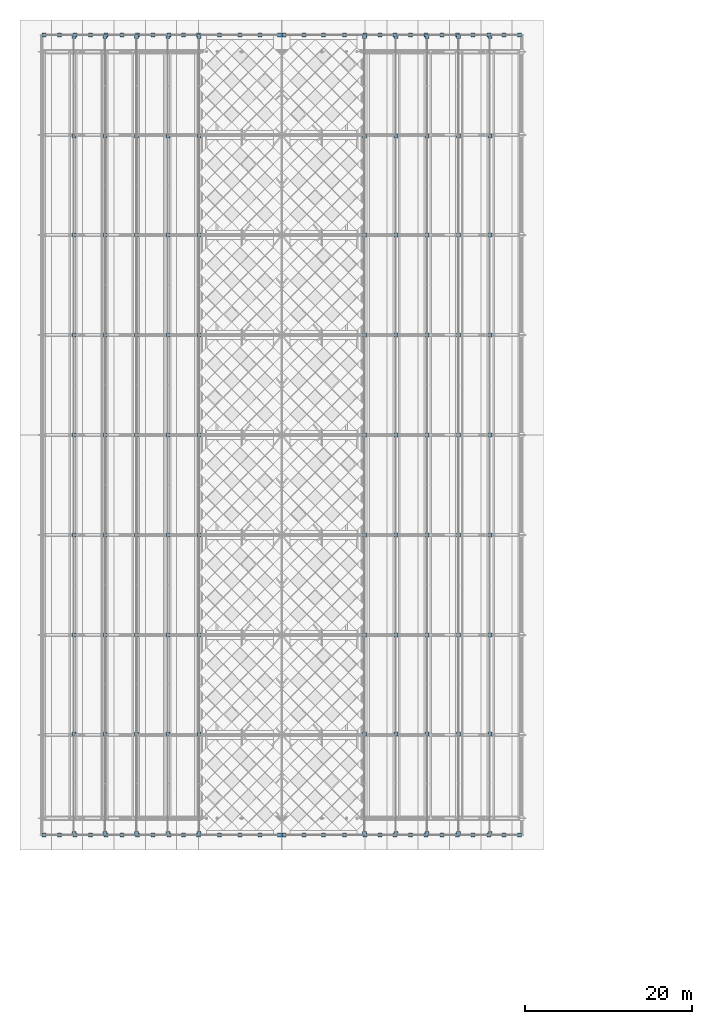
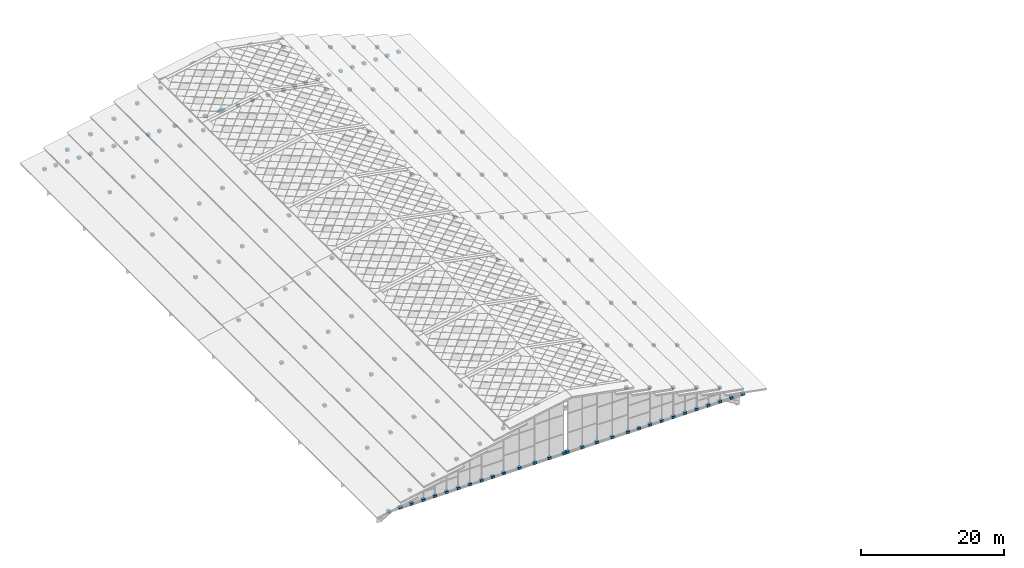
# One storey, part 110 of 117: 150 discrete accessories.
"""IFC4 building model written with IfcOpenShell, lengths in metres."""

import ifcopenshell
import ifcopenshell.guid

model = None  # the IFC model being written
_history = None  # IfcOwnerHistory: only IFC2X3 demands one
_inside = {}  # id of a spatial element -> (the spatial element, [elements in it])
_under = {}  # id of a project, library or spatial element -> (it, [spatial elements below it])
_declared = {}  # id of a project -> (the project, [libraries it declares])
_typed = {}  # id of a type object -> (the type object, [elements of that type])
_made_of = {}  # id of a material, layer set ... -> (it, [elements and type objects made of it])


def new_model(schema):
    """Start an empty IFC model of exactly this schema.

    Asked for "IFC4X3", IfcOpenShell would pick the latest addendum, in which some entities
    have other attributes; the version numbers below select the first issue.
    IFC2X3 requires an IfcOwnerHistory on every rooted entity: one is made here for all.
    """
    global model, _history
    if schema == "IFC4X3":
        model = ifcopenshell.file(schema_version=(4, 3, 0, 0))
    else:
        model = ifcopenshell.file(schema=schema)
    _inside.clear()
    _under.clear()
    _declared.clear()
    _typed.clear()
    _made_of.clear()
    _history = None
    if model.schema == "IFC2X3":
        org = make("IfcOrganization", Name="unknown")
        user = make(
            "IfcPersonAndOrganization",
            ThePerson=make("IfcPerson", FamilyName="unknown"),
            TheOrganization=org,
        )
        app = make(
            "IfcApplication",
            ApplicationDeveloper=org,
            Version="unknown",
            ApplicationFullName="unknown",
            ApplicationIdentifier="unknown",
        )
        _history = make(
            "IfcOwnerHistory",
            OwningUser=user,
            OwningApplication=app,
            ChangeAction="ADDED",
            CreationDate=0,
        )
    return model


def make(cls, **values):
    """One entity of the class cls with the attributes given. An attribute that is None is left unset."""
    return model.create_entity(
        cls, **{name: value for name, value in values.items() if value is not None}
    )


def rooted(cls, **values):
    """An entity with a GlobalId (a new one), such as an element, a storey or a relation."""
    return make(cls, GlobalId=ifcopenshell.guid.new(), OwnerHistory=_history, **values)


def si_unit(unit_type, name, prefix=None):
    """IfcSIUnit, for example si_unit("LENGTHUNIT", "METRE", prefix="MILLI")."""
    return make("IfcSIUnit", UnitType=unit_type, Prefix=prefix, Name=name)


def assignment(units):
    """IfcUnitAssignment: the units of a project."""
    return None if units is None else make("IfcUnitAssignment", Units=units)


def point(xyz):
    """IfcCartesianPoint."""
    return None if xyz is None else make("IfcCartesianPoint", Coordinates=xyz)


def direction(xyz):
    """IfcDirection."""
    return None if xyz is None else make("IfcDirection", DirectionRatios=xyz)


def frame(location, z_axis=None, x_axis=None):
    """IfcAxis2Placement3D, a coordinate frame: its origin and axes. An axis left out is left unset."""
    return make(
        "IfcAxis2Placement3D",
        Location=point(location),
        Axis=direction(z_axis),
        RefDirection=direction(x_axis),
    )


def frame_2d(location, x_axis=None):
    """IfcAxis2Placement2D, a coordinate frame in the plane: its origin and x axis."""
    return make(
        "IfcAxis2Placement2D", Location=point(location), RefDirection=direction(x_axis)
    )


def origin():
    """The frame at (0, 0, 0) with its axes left unset."""
    return frame((0.0, 0.0, 0.0))


def origin_2d():
    """The frame at (0, 0) in the plane with its x axis left unset."""
    return frame_2d((0.0, 0.0))


def place(relative_to, where):
    """IfcLocalPlacement: puts the frame where relative to a parent placement (None: the world)."""
    return make(
        "IfcLocalPlacement", PlacementRelTo=relative_to, RelativePlacement=where
    )


def context(
    kind, dimensions, precision=None, world=None, true_north=None, identifier=None
):
    """IfcGeometricRepresentationContext, for example the 3D "Model" context."""
    return make(
        "IfcGeometricRepresentationContext",
        ContextIdentifier=identifier,
        ContextType=kind,
        CoordinateSpaceDimension=dimensions,
        Precision=precision,
        WorldCoordinateSystem=world,
        TrueNorth=true_north,
    )


def subcontext(parent, identifier, kind, view, scale=None):
    """IfcGeometricRepresentationSubContext, for example "Body" below "Model"."""
    return make(
        "IfcGeometricRepresentationSubContext",
        ContextIdentifier=identifier,
        ContextType=kind,
        ParentContext=parent,
        TargetScale=scale,
        TargetView=view,
    )


def project(units=None, contexts=None):
    """IfcProject with its units and contexts."""
    return rooted(
        "IfcProject",
        Name="project",
        RepresentationContexts=contexts,
        UnitsInContext=assignment(units),
    )


def spatial(cls, under=None, at=None, **own):
    """A site, building, storey or space (cls), placed at a placement, below another one or the project."""
    s = rooted(cls, ObjectPlacement=at, **own)
    if under is not None:
        _under.setdefault(under.id(), (under, []))[1].append(s)
    return s


def profile(cls, at=None, kind="AREA", **sizes):
    """A parametric profile (cls). Its sizes go by their IFC names, for example OverallWidth=200.0."""
    return make(cls, ProfileType=kind, Position=at, **sizes)


def rectangle(**sizes):
    """IfcRectangleProfileDef."""
    return profile("IfcRectangleProfileDef", **sizes)


def extrude(swept, where, along, depth):
    """IfcExtrudedAreaSolid: the profile swept, set in the frame where, extruded along a direction by depth."""
    return make(
        "IfcExtrudedAreaSolid",
        SweptArea=swept,
        Position=where,
        ExtrudedDirection=direction(along),
        Depth=depth,
    )


def shape(context_of_items, identifier, shape_type, items):
    """IfcShapeRepresentation: the items that make up one representation, for example the "Body"."""
    return make(
        "IfcShapeRepresentation",
        ContextOfItems=context_of_items,
        RepresentationIdentifier=identifier,
        RepresentationType=shape_type,
        Items=items,
    )


def material(Name=None, Category=None):
    """IfcMaterial."""
    return make("IfcMaterial", Name=Name, Category=Category)


def layer(
    of_material, thickness, ventilated=None, Name=None, Category=None, Priority=None
):
    """IfcMaterialLayer: one layer of a wall or slab, of a material (None: an air gap)."""
    return make(
        "IfcMaterialLayer",
        Material=of_material,
        LayerThickness=thickness,
        IsVentilated=ventilated,
        Name=Name,
        Category=Category,
        Priority=Priority,
    )


def layer_set(layers, Name=None):
    """IfcMaterialLayerSet."""
    return make("IfcMaterialLayerSet", MaterialLayers=layers, LayerSetName=Name)


def made_of(thing, what):
    """Note that an element or type object is made of a material, layer set ...; save() writes the relation."""
    if what is not None:
        _made_of.setdefault(what.id(), (what, []))[1].append(thing)
    return thing


def type_object(cls, material=None, **own):
    """A type object (cls), such as IfcWallType, which elements share."""
    return made_of(rooted(cls, **own), material)


def element(
    cls,
    number,
    at=None,
    inside=None,
    cuts=None,
    type_object=None,
    material=None,
    context=None,
    identifier="Body",
    shape_type=None,
    held_by="IfcProductDefinitionShape",
    body=None,
    shapes=None,
    **own,
):
    """One element of the class cls, such as IfcWall. Its Tag is "e" and its number.

    at: its placement. inside: the storey or other place that contains it. cuts: it is an
    opening in that element (IfcRelVoidsElement). A single representation is given by context,
    identifier, shape_type and body (its items); several are given by shapes. held_by: the class
    of the entity that holds the representations. save() writes the other relations.
    """
    e = rooted(cls, Tag="e%d" % number, ObjectPlacement=at, **own)
    if body is not None:
        shapes = [shape(context, identifier, shape_type, body)]
    if shapes is not None:
        e.Representation = make(held_by, Representations=shapes)
    if inside is not None:
        _inside.setdefault(inside.id(), (inside, []))[1].append(e)
    if cuts is not None:
        rooted(
            "IfcRelVoidsElement", RelatingBuildingElement=cuts, RelatedOpeningElement=e
        )
    if type_object is not None:
        _typed.setdefault(type_object.id(), (type_object, []))[1].append(e)
    return made_of(e, material)


def aggregate(whole, parts):
    """IfcRelAggregates: a whole, such as a stair, and the parts it consists of."""
    return rooted("IfcRelAggregates", RelatingObject=whole, RelatedObjects=parts)


def save(model, path):
    """Write the relations noted so far, then the file.

    IfcRelAggregates (storeys below a building ...), IfcRelContainedInSpatialStructure (elements
    in a storey), IfcRelDefinesByType, IfcRelAssociatesMaterial and IfcRelDeclares: one each for
    every whole, place, type object, material and project.
    """
    for whole, parts in _under.values():
        aggregate(whole, parts)
    for where, things in _inside.values():
        rooted(
            "IfcRelContainedInSpatialStructure",
            RelatedElements=things,
            RelatingStructure=where,
        )
    for kind, things in _typed.values():
        rooted("IfcRelDefinesByType", RelatedObjects=things, RelatingType=kind)
    for what, things in _made_of.values():
        rooted("IfcRelAssociatesMaterial", RelatedObjects=things, RelatingMaterial=what)
    for by, libraries in _declared.values():
        rooted("IfcRelDeclares", RelatingContext=by, RelatedDefinitions=libraries)
    model.write(path)


model = new_model("IFC4")

# Units and contexts
model_context = context("Model", 3, precision=1e-05, world=origin(), true_north=direction((0.0, 1.0)))
body_context = subcontext(model_context, "Body", "Model", "MODEL_VIEW")
ifc_project = project(units=[si_unit("LENGTHUNIT", "METRE"), si_unit("AREAUNIT", "SQUARE_METRE"), si_unit("VOLUMEUNIT", "CUBIC_METRE"), si_unit("PLANEANGLEUNIT", "RADIAN"), si_unit("MASSUNIT", "GRAM", prefix="KILO")], contexts=[model_context])

# Site, building, storey
site_placement = place(None, origin())
site = spatial("IfcSite", under=ifc_project, at=site_placement, CompositionType="ELEMENT")
building_placement = place(site_placement, origin())
building = spatial("IfcBuilding", under=site, at=building_placement, Name="Merenkruunu Market Hall", CompositionType="ELEMENT")
storey_placement = place(building_placement, frame((0.0, 0.0, 22.800048828125)))
storey = spatial("IfcBuildingStorey", under=building, at=storey_placement, Name="RF", CompositionType="ELEMENT", Elevation=22.800048828125)

# Discrete accessories
ifc_material = material(Name="Brushed stainless steel", Category="steel")
ifc_layer = layer(ifc_material, 0.159912109375)
ifc_layer_set = layer_set([ifc_layer], Name="Brushed stainless steel")
discrete_accessory_type = type_object("IfcDiscreteAccessoryType", Name="Stainless Facade Support Bracket BRK01", PredefinedType="BRACKET", material=ifc_layer_set)
for number, where, z_axis, x_axis, name in (
    (1, (3.9599609375, 15.60009765625, -8.889892578125), (0.0, 0.0, 1.0), (1.0, 0.0, 0.0), "ACC-CWBRK-037-1"),
    (2, (2.1201171875, 15.60009765625, -8.889892578125), (0.0, 0.0, 1.0), (1.0, 0.0, 0.0), "ACC-CWBRK-037-2"),
    (3, (0.280029296875, 15.60009765625, -8.889892578125), (0.0, 0.0, 1.0), (1.0, 0.0, 0.0), "ACC-CWBRK-037-3"),
    (4, (7.719970703125, 15.60009765625, -8.889892578125), (0.0, 0.0, 1.0), (1.0, 0.0, 0.0), "ACC-CWBRK-038-1"),
    (5, (5.840087890625, 15.60009765625, -8.889892578125), (0.0, 0.0, 1.0), (1.0, 0.0, 0.0), "ACC-CWBRK-038-2"),
    (6, (11.47998046875, 15.60009765625, -8.889892578125), (0.0, 0.0, 1.0), (1.0, 0.0, 0.0), "ACC-CWBRK-039-1"),
    (7, (9.60009765625, 15.60009765625, -8.889892578125), (0.0, 0.0, 1.0), (1.0, 0.0, 0.0), "ACC-CWBRK-039-2"),
    (8, (15.239990234375, 15.60009765625, -8.889892578125), (0.0, 0.0, 1.0), (1.0, 0.0, 0.0), "ACC-CWBRK-040-1"),
    (9, (13.360107421875, 15.60009765625, -8.889892578125), (0.0, 0.0, 1.0), (1.0, 0.0, 0.0), "ACC-CWBRK-040-2"),
    (10, (18.800048828125, 15.60009765625, -8.889892578125), (0.0, 0.0, 1.0), (1.0, 0.0, 0.0), "ACC-CWBRK-041-1"),
    (11, (17.02001953125, 15.60009765625, -8.889892578125), (0.0, 0.0, 1.0), (1.0, 0.0, 0.0), "ACC-CWBRK-041-2"),
    (12, (23.800048828125, 15.60009765625, -8.889892578125), (0.0, 0.0, 1.0), (1.0, 0.0, 0.0), "ACC-CWBRK-042-1"),
    (13, (21.300048828125, 15.60009765625, -8.889892578125), (0.0, 0.0, 1.0), (1.0, 0.0, 0.0), "ACC-CWBRK-042-2"),
    (14, (28.52001953125, 15.60009765625, -8.889892578125), (0.0, 0.0, 1.0), (1.0, 0.0, 0.0), "ACC-CWBRK-043-1"),
    (15, (26.159912109375, 15.60009765625, -8.889892578125), (0.0, 0.0, 1.0), (1.0, 0.0, 0.0), "ACC-CWBRK-043-2"),
    (16, (33.800048828125, 15.60009765625, -8.889892578125), (0.0, 0.0, 1.0), (1.0, 0.0, 0.0), "ACC-CWBRK-044-1"),
    (17, (31.43994140625, 15.60009765625, -8.889892578125), (0.0, 0.0, 1.0), (1.0, 0.0, 0.0), "ACC-CWBRK-044-2"),
    (18, (29.080078125, 15.60009765625, -8.889892578125), (0.0, 0.0, 1.0), (1.0, 0.0, 0.0), "ACC-CWBRK-044-3"),
    (19, (38.800048828125, 15.60009765625, -8.889892578125), (0.0, 0.0, 1.0), (1.0, 0.0, 0.0), "ACC-CWBRK-045-1"),
    (20, (36.300048828125, 15.60009765625, -8.889892578125), (0.0, 0.0, 1.0), (1.0, 0.0, 0.0), "ACC-CWBRK-045-2"),
    (21, (42.360107421875, 15.60009765625, -8.889892578125), (0.0, 0.0, 1.0), (1.0, 0.0, 0.0), "ACC-CWBRK-046-1"),
    (22, (40.580078125, 15.60009765625, -8.889892578125), (0.0, 0.0, 1.0), (1.0, 0.0, 0.0), "ACC-CWBRK-046-2"),
    (23, (46.1201171875, 15.60009765625, -8.889892578125), (0.0, 0.0, 1.0), (1.0, 0.0, 0.0), "ACC-CWBRK-047-1"),
    (24, (44.239990234375, 15.60009765625, -8.889892578125), (0.0, 0.0, 1.0), (1.0, 0.0, 0.0), "ACC-CWBRK-047-2"),
    (25, (49.8798828125, 15.60009765625, -8.889892578125), (0.0, 0.0, 1.0), (1.0, 0.0, 0.0), "ACC-CWBRK-048-1"),
    (26, (48.0, 15.60009765625, -8.889892578125), (0.0, 0.0, 1.0), (1.0, 0.0, 0.0), "ACC-CWBRK-048-2"),
    (27, (53.639892578125, 15.60009765625, -8.889892578125), (0.0, 0.0, 1.0), (1.0, 0.0, 0.0), "ACC-CWBRK-049-1"),
    (28, (51.760009765625, 15.60009765625, -8.889892578125), (0.0, 0.0, 1.0), (1.0, 0.0, 0.0), "ACC-CWBRK-049-2"),
    (29, (57.320068359375, 15.60009765625, -8.889892578125), (0.0, 0.0, 1.0), (1.0, 0.0, 0.0), "ACC-CWBRK-050-1"),
    (30, (55.47998046875, 15.60009765625, -8.889892578125), (0.0, 0.0, 1.0), (1.0, 0.0, 0.0), "ACC-CWBRK-050-2"),
    (31, (0.280029296875, 111.60009765625, -8.889892578125), (0.0, 0.0, 1.0), (1.0, 0.0, 0.0), "ACC-CWBRK-067-1"),
    (32, (2.1201171875, 111.60009765625, -8.889892578125), (0.0, 0.0, 1.0), (1.0, 0.0, 0.0), "ACC-CWBRK-067-2"),
    (33, (3.9599609375, 111.60009765625, -8.889892578125), (0.0, 0.0, 1.0), (1.0, 0.0, 0.0), "ACC-CWBRK-067-3"),
    (34, (5.840087890625, 111.60009765625, -8.889892578125), (0.0, 0.0, 1.0), (1.0, 0.0, 0.0), "ACC-CWBRK-068-2"),
    (35, (7.719970703125, 111.60009765625, -8.889892578125), (0.0, 0.0, 1.0), (1.0, 0.0, 0.0), "ACC-CWBRK-068-3"),
    (36, (9.60009765625, 111.60009765625, -8.889892578125), (0.0, 0.0, 1.0), (1.0, 0.0, 0.0), "ACC-CWBRK-069-2"),
    (37, (11.47998046875, 111.60009765625, -8.889892578125), (0.0, 0.0, 1.0), (1.0, 0.0, 0.0), "ACC-CWBRK-069-3"),
    (38, (13.360107421875, 111.60009765625, -8.889892578125), (0.0, 0.0, 1.0), (1.0, 0.0, 0.0), "ACC-CWBRK-070-2"),
    (39, (15.239990234375, 111.60009765625, -8.889892578125), (0.0, 0.0, 1.0), (1.0, 0.0, 0.0), "ACC-CWBRK-070-3"),
    (40, (17.02001953125, 111.60009765625, -8.889892578125), (0.0, 0.0, 1.0), (1.0, 0.0, 0.0), "ACC-CWBRK-071-2"),
    (41, (18.800048828125, 111.60009765625, -8.889892578125), (0.0, 0.0, 1.0), (1.0, 0.0, 0.0), "ACC-CWBRK-071-3"),
    (42, (21.300048828125, 111.60009765625, -8.889892578125), (0.0, 0.0, 1.0), (1.0, 0.0, 0.0), "ACC-CWBRK-072-2"),
    (43, (23.800048828125, 111.60009765625, -8.889892578125), (0.0, 0.0, 1.0), (1.0, 0.0, 0.0), "ACC-CWBRK-072-3"),
    (44, (26.159912109375, 111.60009765625, -8.889892578125), (0.0, 0.0, 1.0), (1.0, 0.0, 0.0), "ACC-CWBRK-073-2"),
    (45, (28.52001953125, 111.60009765625, -8.889892578125), (0.0, 0.0, 1.0), (1.0, 0.0, 0.0), "ACC-CWBRK-073-3"),
    (46, (29.080078125, 111.60009765625, -8.889892578125), (0.0, 0.0, 1.0), (1.0, 0.0, 0.0), "ACC-CWBRK-074-1"),
    (47, (31.43994140625, 111.60009765625, -8.889892578125), (0.0, 0.0, 1.0), (1.0, 0.0, 0.0), "ACC-CWBRK-074-2"),
    (48, (33.800048828125, 111.60009765625, -8.889892578125), (0.0, 0.0, 1.0), (1.0, 0.0, 0.0), "ACC-CWBRK-074-3"),
    (49, (36.300048828125, 111.60009765625, -8.889892578125), (0.0, 0.0, 1.0), (1.0, 0.0, 0.0), "ACC-CWBRK-075-2"),
    (50, (38.800048828125, 111.60009765625, -8.889892578125), (0.0, 0.0, 1.0), (1.0, 0.0, 0.0), "ACC-CWBRK-075-3"),
    (51, (40.580078125, 111.60009765625, -8.889892578125), (0.0, 0.0, 1.0), (1.0, 0.0, 0.0), "ACC-CWBRK-076-2"),
    (52, (42.360107421875, 111.60009765625, -8.889892578125), (0.0, 0.0, 1.0), (1.0, 0.0, 0.0), "ACC-CWBRK-076-3"),
    (53, (44.239990234375, 111.60009765625, -8.889892578125), (0.0, 0.0, 1.0), (1.0, 0.0, 0.0), "ACC-CWBRK-077-2"),
    (54, (46.1201171875, 111.60009765625, -8.889892578125), (0.0, 0.0, 1.0), (1.0, 0.0, 0.0), "ACC-CWBRK-077-3"),
    (55, (48.0, 111.60009765625, -8.889892578125), (0.0, 0.0, 1.0), (1.0, 0.0, 0.0), "ACC-CWBRK-078-2"),
    (56, (49.8798828125, 111.60009765625, -8.889892578125), (0.0, 0.0, 1.0), (1.0, 0.0, 0.0), "ACC-CWBRK-078-3"),
    (57, (51.760009765625, 111.60009765625, -8.889892578125), (0.0, 0.0, 1.0), (1.0, 0.0, 0.0), "ACC-CWBRK-079-2"),
    (58, (53.639892578125, 111.60009765625, -8.889892578125), (0.0, 0.0, 1.0), (1.0, 0.0, 0.0), "ACC-CWBRK-079-3"),
    (59, (55.47998046875, 111.60009765625, -8.889892578125), (0.0, 0.0, 1.0), (1.0, 0.0, 0.0), "ACC-CWBRK-080-2"),
    (60, (57.320068359375, 111.60009765625, -8.889892578125), (0.0, 0.0, 1.0), (1.0, 0.0, 0.0), "ACC-CWBRK-080-3"),
    (61, (3.840087890625, 15.800048828125, -6.721923828125), (0.0, 0.0, 1.0), (1.0, 0.0, 0.0), "ACC-CWBRK-081-1"),
    (62, (3.840087890625, 27.699951171875, -6.721923828125), (0.0, 0.0, 1.0), (1.0, 0.0, 0.0), "ACC-CWBRK-081-2"),
    (63, (3.840087890625, 39.60009765625, -6.721923828125), (0.0, 0.0, 1.0), (1.0, 0.0, 0.0), "ACC-CWBRK-081-3"),
    (64, (53.760009765625, 39.60009765625, -6.721923828125), (0.0, 0.0, 1.0), (1.0, 0.0, 0.0), "ACC-CWBRK-082-1"),
    (65, (53.760009765625, 27.699951171875, -6.721923828125), (0.0, 0.0, 1.0), (1.0, 0.0, 0.0), "ACC-CWBRK-082-2"),
    (66, (53.760009765625, 15.800048828125, -6.721923828125), (0.0, 0.0, 1.0), (1.0, 0.0, 0.0), "ACC-CWBRK-082-3"),
    (67, (3.840087890625, 51.60009765625, -6.721923828125), (0.0, 0.0, 1.0), (1.0, 0.0, 0.0), "ACC-CWBRK-083-2"),
    (68, (3.840087890625, 63.60009765625, -6.721923828125), (0.0, 0.0, 1.0), (1.0, 0.0, 0.0), "ACC-CWBRK-083-3"),
    (69, (53.760009765625, 63.60009765625, -6.721923828125), (0.0, 0.0, 1.0), (1.0, 0.0, 0.0), "ACC-CWBRK-084-1"),
    (70, (53.760009765625, 51.60009765625, -6.721923828125), (0.0, 0.0, 1.0), (1.0, 0.0, 0.0), "ACC-CWBRK-084-2"),
    (71, (3.840087890625, 75.60009765625, -6.721923828125), (0.0, 0.0, 1.0), (1.0, 0.0, 0.0), "ACC-CWBRK-085-2"),
    (72, (3.840087890625, 87.60009765625, -6.721923828125), (0.0, 0.0, 1.0), (1.0, 0.0, 0.0), "ACC-CWBRK-085-3"),
    (73, (53.760009765625, 87.60009765625, -6.721923828125), (0.0, 0.0, 1.0), (1.0, 0.0, 0.0), "ACC-CWBRK-086-1"),
    (74, (53.760009765625, 75.60009765625, -6.721923828125), (0.0, 0.0, 1.0), (1.0, 0.0, 0.0), "ACC-CWBRK-086-2"),
    (75, (3.840087890625, 99.5, -6.721923828125), (0.0, 0.0, 1.0), (1.0, 0.0, 0.0), "ACC-CWBRK-087-2"),
    (76, (3.840087890625, 111.39990234375, -6.721923828125), (0.0, 0.0, 1.0), (1.0, 0.0, 0.0), "ACC-CWBRK-087-3"),
    (77, (53.760009765625, 111.39990234375, -6.721923828125), (0.0, 0.0, 1.0), (1.0, 0.0, 0.0), "ACC-CWBRK-088-1"),
    (78, (53.760009765625, 99.5, -6.721923828125), (0.0, 0.0, 1.0), (1.0, 0.0, 0.0), "ACC-CWBRK-088-2"),
    (79, (7.60009765625, 15.800048828125, -5.402099609375), (0.0, 0.0, 1.0), (1.0, 0.0, 0.0), "ACC-CWBRK-089-1"),
    (80, (7.60009765625, 27.699951171875, -5.402099609375), (0.0, 0.0, 1.0), (1.0, 0.0, 0.0), "ACC-CWBRK-089-2"),
    (81, (7.60009765625, 39.60009765625, -5.402099609375), (0.0, 0.0, 1.0), (1.0, 0.0, 0.0), "ACC-CWBRK-089-3"),
    (82, (50.0, 39.60009765625, -5.402099609375), (0.0, 0.0, 1.0), (1.0, 0.0, 0.0), "ACC-CWBRK-090-1"),
    (83, (50.0, 27.699951171875, -5.402099609375), (0.0, 0.0, 1.0), (1.0, 0.0, 0.0), "ACC-CWBRK-090-2"),
    (84, (50.0, 15.800048828125, -5.402099609375), (0.0, 0.0, 1.0), (1.0, 0.0, 0.0), "ACC-CWBRK-090-3"),
    (85, (7.60009765625, 51.60009765625, -5.402099609375), (0.0, 0.0, 1.0), (1.0, 0.0, 0.0), "ACC-CWBRK-091-2"),
    (86, (7.60009765625, 63.60009765625, -5.402099609375), (0.0, 0.0, 1.0), (1.0, 0.0, 0.0), "ACC-CWBRK-091-3"),
    (87, (50.0, 63.60009765625, -5.402099609375), (0.0, 0.0, 1.0), (1.0, 0.0, 0.0), "ACC-CWBRK-092-1"),
    (88, (50.0, 51.60009765625, -5.402099609375), (0.0, 0.0, 1.0), (1.0, 0.0, 0.0), "ACC-CWBRK-092-2"),
    (89, (7.60009765625, 75.60009765625, -5.402099609375), (0.0, 0.0, 1.0), (1.0, 0.0, 0.0), "ACC-CWBRK-093-2"),
    (90, (7.60009765625, 87.60009765625, -5.402099609375), (0.0, 0.0, 1.0), (1.0, 0.0, 0.0), "ACC-CWBRK-093-3"),
    (91, (50.0, 87.60009765625, -5.402099609375), (0.0, 0.0, 1.0), (1.0, 0.0, 0.0), "ACC-CWBRK-094-1"),
    (92, (50.0, 75.60009765625, -5.402099609375), (0.0, 0.0, 1.0), (1.0, 0.0, 0.0), "ACC-CWBRK-094-2"),
    (93, (7.60009765625, 99.5, -5.402099609375), (0.0, 0.0, 1.0), (1.0, 0.0, 0.0), "ACC-CWBRK-095-2"),
    (94, (7.60009765625, 111.39990234375, -5.402099609375), (0.0, 0.0, 1.0), (1.0, 0.0, 0.0), "ACC-CWBRK-095-3"),
    (95, (50.0, 111.39990234375, -5.402099609375), (0.0, 0.0, 1.0), (1.0, 0.0, 0.0), "ACC-CWBRK-096-1"),
    (96, (50.0, 99.5, -5.402099609375), (0.0, 0.0, 1.0), (1.0, 0.0, 0.0), "ACC-CWBRK-096-2"),
    (97, (11.360107421875, 15.800048828125, -4.08203125), (0.0, 0.0, 1.0), (1.0, 0.0, 0.0), "ACC-CWBRK-097-1"),
    (98, (11.360107421875, 27.699951171875, -4.08203125), (0.0, 0.0, 1.0), (1.0, 0.0, 0.0), "ACC-CWBRK-097-2"),
    (99, (11.360107421875, 39.60009765625, -4.08203125), (0.0, 0.0, 1.0), (1.0, 0.0, 0.0), "ACC-CWBRK-097-3"),
    (100, (46.239990234375, 39.60009765625, -4.08203125), (0.0, 0.0, 1.0), (1.0, 0.0, 0.0), "ACC-CWBRK-098-1"),
    (101, (46.239990234375, 27.699951171875, -4.08203125), (0.0, 0.0, 1.0), (1.0, 0.0, 0.0), "ACC-CWBRK-098-2"),
    (102, (46.239990234375, 15.800048828125, -4.08203125), (0.0, 0.0, 1.0), (1.0, 0.0, 0.0), "ACC-CWBRK-098-3"),
    (103, (11.360107421875, 51.60009765625, -4.08203125), (0.0, 0.0, 1.0), (1.0, 0.0, 0.0), "ACC-CWBRK-099-2"),
    (104, (11.360107421875, 63.60009765625, -4.08203125), (0.0, 0.0, 1.0), (1.0, 0.0, 0.0), "ACC-CWBRK-099-3"),
    (105, (46.239990234375, 63.60009765625, -4.08203125), (0.0, 0.0, 1.0), (1.0, 0.0, 0.0), "ACC-CWBRK-100-1"),
    (106, (46.239990234375, 51.60009765625, -4.08203125), (0.0, 0.0, 1.0), (1.0, 0.0, 0.0), "ACC-CWBRK-100-2"),
    (107, (11.360107421875, 75.60009765625, -4.08203125), (0.0, 0.0, 1.0), (1.0, 0.0, 0.0), "ACC-CWBRK-101-2"),
    (108, (11.360107421875, 87.60009765625, -4.08203125), (0.0, 0.0, 1.0), (1.0, 0.0, 0.0), "ACC-CWBRK-101-3"),
    (109, (46.239990234375, 87.60009765625, -4.08203125), (0.0, 0.0, 1.0), (1.0, 0.0, 0.0), "ACC-CWBRK-102-1"),
    (110, (46.239990234375, 75.60009765625, -4.08203125), (0.0, 0.0, 1.0), (1.0, 0.0, 0.0), "ACC-CWBRK-102-2"),
    (111, (11.360107421875, 99.5, -4.08203125), (0.0, 0.0, 1.0), (1.0, 0.0, 0.0), "ACC-CWBRK-103-2"),
    (112, (11.360107421875, 111.39990234375, -4.08203125), (0.0, 0.0, 1.0), (1.0, 0.0, 0.0), "ACC-CWBRK-103-3"),
    (113, (46.239990234375, 111.39990234375, -4.08203125), (0.0, 0.0, 1.0), (1.0, 0.0, 0.0), "ACC-CWBRK-104-1"),
    (114, (46.239990234375, 99.5, -4.08203125), (0.0, 0.0, 1.0), (1.0, 0.0, 0.0), "ACC-CWBRK-104-2"),
    (115, (15.1201171875, 15.800048828125, -2.761962890625), (0.0, 0.0, 1.0), (1.0, 0.0, 0.0), "ACC-CWBRK-105-1"),
    (116, (15.1201171875, 27.699951171875, -2.761962890625), (0.0, 0.0, 1.0), (1.0, 0.0, 0.0), "ACC-CWBRK-105-2"),
    (117, (15.1201171875, 39.60009765625, -2.761962890625), (0.0, 0.0, 1.0), (1.0, 0.0, 0.0), "ACC-CWBRK-105-3"),
    (118, (42.47998046875, 39.60009765625, -2.761962890625), (0.0, 0.0, 1.0), (1.0, 0.0, 0.0), "ACC-CWBRK-106-1"),
    (119, (42.47998046875, 27.699951171875, -2.761962890625), (0.0, 0.0, 1.0), (1.0, 0.0, 0.0), "ACC-CWBRK-106-2"),
    (120, (42.47998046875, 15.800048828125, -2.761962890625), (0.0, 0.0, 1.0), (1.0, 0.0, 0.0), "ACC-CWBRK-106-3"),
    (121, (15.1201171875, 51.60009765625, -2.761962890625), (0.0, 0.0, 1.0), (1.0, 0.0, 0.0), "ACC-CWBRK-107-2"),
    (122, (15.1201171875, 63.60009765625, -2.761962890625), (0.0, 0.0, 1.0), (1.0, 0.0, 0.0), "ACC-CWBRK-107-3"),
    (123, (42.47998046875, 63.60009765625, -2.761962890625), (0.0, 0.0, 1.0), (1.0, 0.0, 0.0), "ACC-CWBRK-108-1"),
    (124, (42.47998046875, 51.60009765625, -2.761962890625), (0.0, 0.0, 1.0), (1.0, 0.0, 0.0), "ACC-CWBRK-108-2"),
    (125, (15.1201171875, 75.60009765625, -2.761962890625), (0.0, 0.0, 1.0), (1.0, 0.0, 0.0), "ACC-CWBRK-109-2"),
    (126, (15.1201171875, 87.60009765625, -2.761962890625), (0.0, 0.0, 1.0), (1.0, 0.0, 0.0), "ACC-CWBRK-109-3"),
    (127, (42.47998046875, 87.60009765625, -2.761962890625), (0.0, 0.0, 1.0), (1.0, 0.0, 0.0), "ACC-CWBRK-110-1"),
    (128, (42.47998046875, 75.60009765625, -2.761962890625), (0.0, 0.0, 1.0), (1.0, 0.0, 0.0), "ACC-CWBRK-110-2"),
    (129, (15.1201171875, 99.5, -2.761962890625), (0.0, 0.0, 1.0), (1.0, 0.0, 0.0), "ACC-CWBRK-111-2"),
    (130, (15.1201171875, 111.39990234375, -2.761962890625), (0.0, 0.0, 1.0), (1.0, 0.0, 0.0), "ACC-CWBRK-111-3"),
    (131, (42.47998046875, 111.39990234375, -2.761962890625), (0.0, 0.0, 1.0), (1.0, 0.0, 0.0), "ACC-CWBRK-112-1"),
    (132, (42.47998046875, 99.5, -2.761962890625), (0.0, 0.0, 1.0), (1.0, 0.0, 0.0), "ACC-CWBRK-112-2"),
    (133, (18.8798828125, 15.800048828125, -1.44189453125), (0.0, 0.0, 1.0), (1.0, 0.0, 0.0), "ACC-CWBRK-113-1"),
    (134, (18.8798828125, 27.699951171875, -1.44189453125), (0.0, 0.0, 1.0), (1.0, 0.0, 0.0), "ACC-CWBRK-113-2"),
    (135, (18.8798828125, 39.60009765625, -1.44189453125), (0.0, 0.0, 1.0), (1.0, 0.0, 0.0), "ACC-CWBRK-113-3"),
    (136, (38.719970703125, 39.60009765625, -1.44189453125), (0.0, 0.0, 1.0), (1.0, 0.0, 0.0), "ACC-CWBRK-114-1"),
    (137, (38.719970703125, 27.699951171875, -1.44189453125), (0.0, 0.0, 1.0), (1.0, 0.0, 0.0), "ACC-CWBRK-114-2"),
    (138, (38.719970703125, 15.800048828125, -1.44189453125), (0.0, 0.0, 1.0), (1.0, 0.0, 0.0), "ACC-CWBRK-114-3"),
    (139, (18.8798828125, 51.60009765625, -1.44189453125), (0.0, 0.0, 1.0), (1.0, 0.0, 0.0), "ACC-CWBRK-115-2"),
    (140, (18.8798828125, 63.60009765625, -1.44189453125), (0.0, 0.0, 1.0), (1.0, 0.0, 0.0), "ACC-CWBRK-115-3"),
    (141, (38.719970703125, 63.60009765625, -1.44189453125), (0.0, 0.0, 1.0), (1.0, 0.0, 0.0), "ACC-CWBRK-116-1"),
    (142, (38.719970703125, 51.60009765625, -1.44189453125), (0.0, 0.0, 1.0), (1.0, 0.0, 0.0), "ACC-CWBRK-116-2"),
    (143, (18.8798828125, 75.60009765625, -1.44189453125), (0.0, 0.0, 1.0), (1.0, 0.0, 0.0), "ACC-CWBRK-117-2"),
    (144, (18.8798828125, 87.60009765625, -1.44189453125), (0.0, 0.0, 1.0), (1.0, 0.0, 0.0), "ACC-CWBRK-117-3"),
    (145, (38.719970703125, 87.60009765625, -1.44189453125), (0.0, 0.0, 1.0), (1.0, 0.0, 0.0), "ACC-CWBRK-118-1"),
    (146, (38.719970703125, 75.60009765625, -1.44189453125), (0.0, 0.0, 1.0), (1.0, 0.0, 0.0), "ACC-CWBRK-118-2"),
    (147, (18.8798828125, 99.5, -1.44189453125), (0.0, 0.0, 1.0), (1.0, 0.0, 0.0), "ACC-CWBRK-119-2"),
    (148, (18.8798828125, 111.39990234375, -1.44189453125), (0.0, 0.0, 1.0), (1.0, 0.0, 0.0), "ACC-CWBRK-119-3"),
    (149, (38.719970703125, 111.39990234375, -1.44189453125), (0.0, 0.0, 1.0), (1.0, 0.0, 0.0), "ACC-CWBRK-120-1"),
    (150, (38.719970703125, 99.5, -1.44189453125), (0.0, 0.0, 1.0), (1.0, 0.0, 0.0), "ACC-CWBRK-120-2"),
):
    element("IfcDiscreteAccessory", number, at=place(storey_placement, frame(where, z_axis=z_axis, x_axis=x_axis)), inside=storey, type_object=discrete_accessory_type, Name=name, PredefinedType="BRACKET", context=body_context, shape_type="SweptSolid", body=[
        extrude(rectangle(XDim=0.47998046875, YDim=0.47998046875, at=origin_2d()), origin(), (0.0, 0.0, 1.0), 0.39990234375),
    ])

save(model, "model.ifc")
